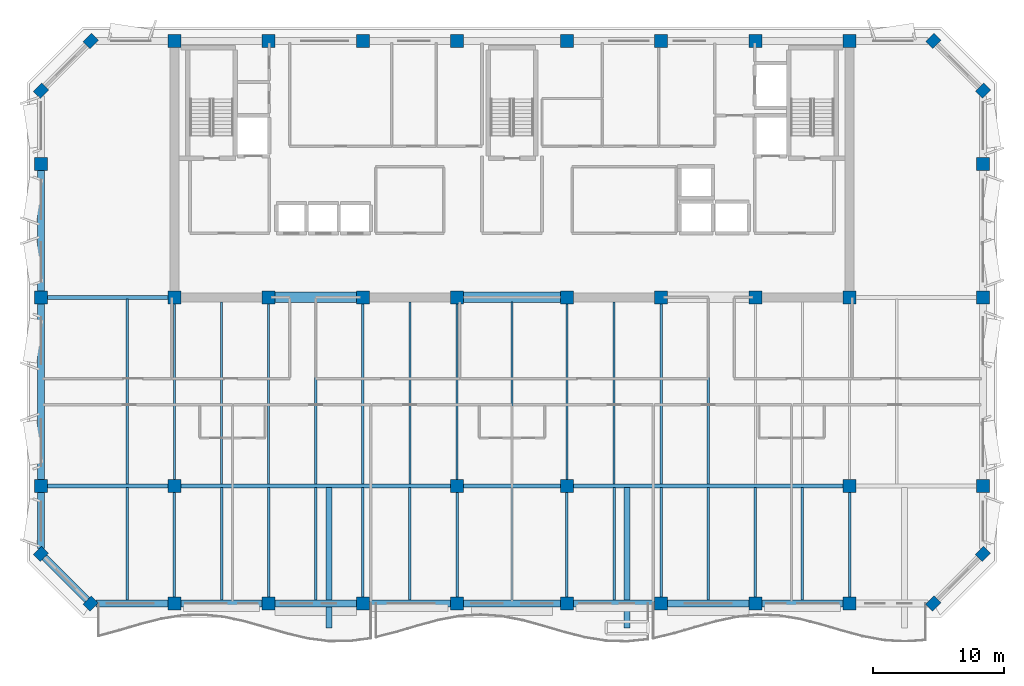
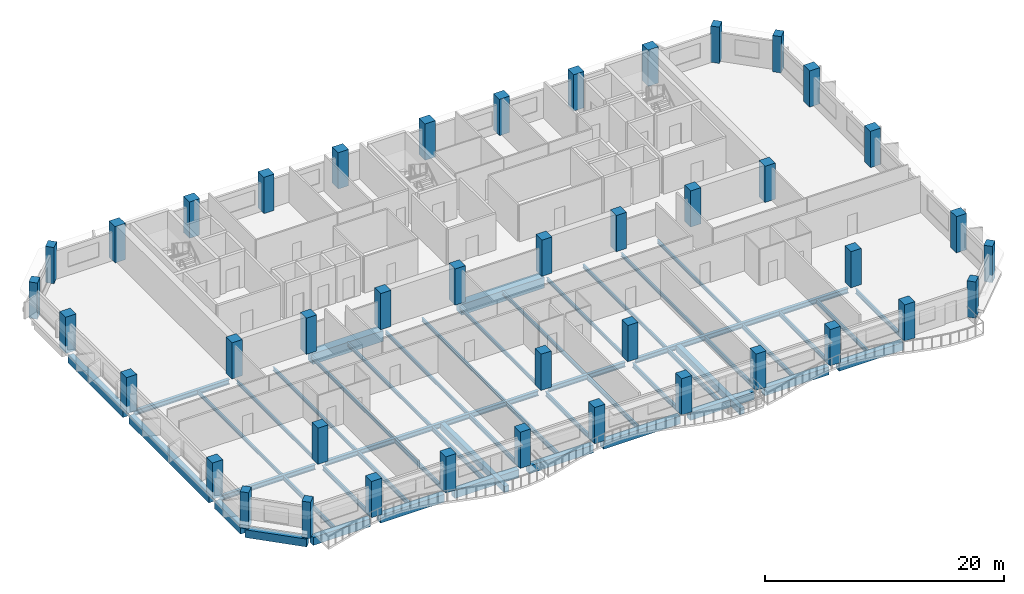
# One storey, part 1 of 10: 50 beams, 42 columns.
"""IFC4 building model written with IfcOpenShell, lengths in metres."""

from ifc_helpers import new_model, si_unit, direction, frame, origin, origin_2d, place, context, subcontext, project, spatial, rectangle, i_section, extrude, material, material_profile, profile_set, type_object, element, save


model = new_model("IFC4")

# Units and contexts
model_context = context("Model", 3, precision=1e-05, world=origin(), true_north=direction((0.0, 1.0)))
body_context = subcontext(model_context, "Body", "Model", "MODEL_VIEW")
ifc_project = project(units=[si_unit("LENGTHUNIT", "METRE"), si_unit("AREAUNIT", "SQUARE_METRE"), si_unit("VOLUMEUNIT", "CUBIC_METRE"), si_unit("PLANEANGLEUNIT", "RADIAN"), si_unit("MASSUNIT", "GRAM", prefix="KILO")], contexts=[model_context])

# Site, building, storey
site_placement = place(None, origin())
site = spatial("IfcSite", under=ifc_project, at=site_placement, CompositionType="ELEMENT")
building_placement = place(site_placement, origin())
building = spatial("IfcBuilding", under=site, at=building_placement, Name="Kaelvorn Grand Hotel", CompositionType="ELEMENT")
storey_placement = place(building_placement, frame((0.0, 0.0, 264.699951171875)))
storey = spatial("IfcBuildingStorey", under=building, at=storey_placement, Name="L65", CompositionType="ELEMENT", Elevation=264.699951171875)

# Columns
ifc_material_1 = material(Name="Concrete C60/75", Category="concrete")
ifc_material_profile_1 = material_profile(ifc_material_1, rectangle(XDim=0.89990234375, YDim=0.75, at=origin_2d()), Name="RC PILASTER 900x750")
ifc_profile_set_1 = profile_set([ifc_material_profile_1], Name="Concrete C60/75")
column_type_1 = type_object("IfcColumnType", Name="COL-PIL-900x750-C60", PredefinedType="PILASTER", material=ifc_profile_set_1)
for number, where, z_axis, x_axis, name in (
    (1, (9.800048828125, 6.0, 0.0), (0.0, 0.0, 1.0), (0.707106781187, 0.707106781187, 0.0), "L65 Structural Column CH-01"),
    (2, (74.199951171875, 6.0, 0.0), (0.0, 0.0, 1.0), (0.707106781187, 0.707106781187, 0.0), "L65 Structural Column CH-02"),
    (3, (78.0, 9.800048828125, 0.0), (0.0, 0.0, 1.0), (0.707106781187, 0.707106781187, 0.0), "L65 Structural Column CH-03"),
    (4, (78.0, 45.199951171875, 0.0), (0.0, 0.0, 1.0), (0.707106781187, 0.707106781187, 0.0), "L65 Structural Column CH-04"),
    (5, (74.199951171875, 49.0, 0.0), (0.0, 0.0, 1.0), (0.707106781187, 0.707106781187, 0.0), "L65 Structural Column CH-05"),
    (6, (9.800048828125, 49.0, 0.0), (0.0, 0.0, 1.0), (0.707106781187, 0.707106781187, 0.0), "L65 Structural Column CH-06"),
    (7, (6.0, 45.199951171875, 0.0), (0.0, 0.0, 1.0), (0.707106781187, 0.707106781187, 0.0), "L65 Structural Column CH-07"),
    (8, (6.0, 9.800048828125, 0.0), (0.0, 0.0, 1.0), (0.707106781187, 0.707106781187, 0.0), "L65 Structural Column CH-08"),
):
    element("IfcColumn", number, at=place(storey_placement, frame(where, z_axis=z_axis, x_axis=x_axis)), inside=storey, type_object=column_type_1, Name=name, PredefinedType="PILASTER", context=body_context, shape_type="SweptSolid", body=[
        extrude(rectangle(XDim=0.89990234375, YDim=0.75, at=origin_2d()), origin(), (0.0, 0.0, 1.0), 3.7099609375),
    ])
ifc_material_2 = material(Name="Concrete C50/60", Category="concrete")
ifc_material_profile_2 = material_profile(ifc_material_2, rectangle(XDim=1.0, YDim=1.0, at=origin_2d()), Name="RC COL 1000x1000")
ifc_profile_set_2 = profile_set([ifc_material_profile_2], Name="Concrete C50/60")
column_type_2 = type_object("IfcColumnType", Name="COL-RC-1000-C50", PredefinedType="COLUMN", material=ifc_profile_set_2)
for number, where, z_axis, x_axis, name in (
    (9, (16.199951171875, 6.0, 0.0), (0.0, 0.0, 1.0), (1.0, 0.0, 0.0), "L65 Structural Column S-01"),
    (10, (23.39990234375, 6.0, 0.0), (0.0, 0.0, 1.0), (1.0, 0.0, 0.0), "L65 Structural Column S-02"),
    (11, (30.60009765625, 6.0, 0.0), (0.0, 0.0, 1.0), (1.0, 0.0, 0.0), "L65 Structural Column S-03"),
    (12, (37.800048828125, 6.0, 0.0), (0.0, 0.0, 1.0), (1.0, 0.0, 0.0), "L65 Structural Column S-04"),
    (13, (46.199951171875, 6.0, 0.0), (0.0, 0.0, 1.0), (1.0, 0.0, 0.0), "L65 Structural Column S-05"),
    (14, (53.39990234375, 6.0, 0.0), (0.0, 0.0, 1.0), (1.0, 0.0, 0.0), "L65 Structural Column S-06"),
    (15, (60.60009765625, 6.0, 0.0), (0.0, 0.0, 1.0), (1.0, 0.0, 0.0), "L65 Structural Column S-07"),
    (16, (67.800048828125, 6.0, 0.0), (0.0, 0.0, 1.0), (1.0, 0.0, 0.0), "L65 Structural Column S-08"),
    (17, (6.0, 15.0, 0.0), (0.0, 0.0, 1.0), (1.0, 0.0, 0.0), "L65 Structural Column W-01"),
    (18, (78.0, 15.0, 0.0), (0.0, 0.0, 1.0), (1.0, 0.0, 0.0), "L65 Structural Column E-01"),
    (19, (6.0, 29.39990234375, 0.0), (0.0, 0.0, 1.0), (1.0, 0.0, 0.0), "L65 Structural Column W-02"),
    (20, (78.0, 29.39990234375, 0.0), (0.0, 0.0, 1.0), (1.0, 0.0, 0.0), "L65 Structural Column E-02"),
    (21, (6.0, 39.60009765625, 0.0), (0.0, 0.0, 1.0), (1.0, 0.0, 0.0), "L65 Structural Column W-03"),
    (22, (78.0, 39.60009765625, 0.0), (0.0, 0.0, 1.0), (1.0, 0.0, 0.0), "L65 Structural Column E-03"),
    (23, (16.199951171875, 15.0, 0.0), (0.0, 0.0, 1.0), (1.0, 0.0, 0.0), "L65 Structural Column M-01"),
    (24, (37.800048828125, 15.0, 0.0), (0.0, 0.0, 1.0), (1.0, 0.0, 0.0), "L65 Structural Column M-02"),
    (25, (46.199951171875, 15.0, 0.0), (0.0, 0.0, 1.0), (1.0, 0.0, 0.0), "L65 Structural Column M-03"),
    (26, (67.800048828125, 15.0, 0.0), (0.0, 0.0, 1.0), (1.0, 0.0, 0.0), "L65 Structural Column M-04"),
    (27, (16.199951171875, 29.39990234375, 0.0), (0.0, 0.0, 1.0), (1.0, 0.0, 0.0), "L65 Structural Column CR1-01"),
    (28, (16.199951171875, 49.0, 0.0), (0.0, 0.0, 1.0), (1.0, 0.0, 0.0), "L65 Structural Column CR2-01"),
    (29, (23.39990234375, 29.39990234375, 0.0), (0.0, 0.0, 1.0), (1.0, 0.0, 0.0), "L65 Structural Column CR1-02"),
    (30, (23.39990234375, 49.0, 0.0), (0.0, 0.0, 1.0), (1.0, 0.0, 0.0), "L65 Structural Column CR2-02"),
    (31, (30.60009765625, 29.39990234375, 0.0), (0.0, 0.0, 1.0), (1.0, 0.0, 0.0), "L65 Structural Column CR1-03"),
    (32, (30.60009765625, 49.0, 0.0), (0.0, 0.0, 1.0), (1.0, 0.0, 0.0), "L65 Structural Column CR2-03"),
    (33, (37.800048828125, 29.39990234375, 0.0), (0.0, 0.0, 1.0), (1.0, 0.0, 0.0), "L65 Structural Column CR1-04"),
    (34, (37.800048828125, 49.0, 0.0), (0.0, 0.0, 1.0), (1.0, 0.0, 0.0), "L65 Structural Column CR2-04"),
    (35, (46.199951171875, 29.39990234375, 0.0), (0.0, 0.0, 1.0), (1.0, 0.0, 0.0), "L65 Structural Column CR1-05"),
    (36, (46.199951171875, 49.0, 0.0), (0.0, 0.0, 1.0), (1.0, 0.0, 0.0), "L65 Structural Column CR2-05"),
    (37, (53.39990234375, 29.39990234375, 0.0), (0.0, 0.0, 1.0), (1.0, 0.0, 0.0), "L65 Structural Column CR1-06"),
    (38, (53.39990234375, 49.0, 0.0), (0.0, 0.0, 1.0), (1.0, 0.0, 0.0), "L65 Structural Column CR2-06"),
    (39, (60.60009765625, 29.39990234375, 0.0), (0.0, 0.0, 1.0), (1.0, 0.0, 0.0), "L65 Structural Column CR1-07"),
    (40, (60.60009765625, 49.0, 0.0), (0.0, 0.0, 1.0), (1.0, 0.0, 0.0), "L65 Structural Column CR2-07"),
    (41, (67.800048828125, 29.39990234375, 0.0), (0.0, 0.0, 1.0), (1.0, 0.0, 0.0), "L65 Structural Column CR1-08"),
    (42, (67.800048828125, 49.0, 0.0), (0.0, 0.0, 1.0), (1.0, 0.0, 0.0), "L65 Structural Column CR2-08"),
):
    element("IfcColumn", number, at=place(storey_placement, frame(where, z_axis=z_axis, x_axis=x_axis)), inside=storey, type_object=column_type_2, Name=name, PredefinedType="COLUMN", context=body_context, shape_type="SweptSolid", body=[
        extrude(rectangle(XDim=1.0, YDim=1.0, at=origin_2d()), origin(), (0.0, 0.0, 1.0), 3.7099609375),
    ])

# Beams
ifc_material_3 = material(Name="Steel S355", Category="steel")
ifc_material_profile_3 = material_profile(ifc_material_3, i_section(OverallWidth=0.300048828125, OverallDepth=0.5, WebThickness=0.014404296875, FlangeThickness=0.028076171875, FilletRadius=0.027099609375, at=origin_2d()), Name="HEB 500")
ifc_profile_set_3 = profile_set([ifc_material_profile_3], Name="Steel S355")
beam_type_1 = type_object("IfcBeamType", Name="BM-G-HEB500-S355", PredefinedType="BEAM", material=ifc_profile_set_3)
beam_1_placement = place(storey_placement, frame((6.485107421875, 15.0, -0.489990234375), z_axis=(1.0, 0.0, 0.0), x_axis=(0.0, 1.0, 0.0)))
element("IfcBeam", 43, at=beam_1_placement, inside=storey, type_object=beam_type_1, Name="L65 Primary Spine Steel Girder G-15 01", PredefinedType="BEAM", context=body_context, shape_type="SweptSolid", body=[
    extrude(i_section(OverallWidth=0.300048828125, OverallDepth=0.5, WebThickness=0.014404296875, FlangeThickness=0.028076171875, FilletRadius=0.027099609375, at=origin_2d()), origin(), (0.0, 0.0, 1.0), 9.22998046875),
])
beam_2_placement = place(storey_placement, frame((16.68505859375, 15.0, -0.489990234375), z_axis=(1.0, 0.0, 0.0), x_axis=(0.0, 1.0, 0.0)))
element("IfcBeam", 44, at=beam_2_placement, inside=storey, type_object=beam_type_1, Name="L65 Primary Spine Steel Girder G-15 02", PredefinedType="BEAM", context=body_context, shape_type="SweptSolid", body=[
    extrude(i_section(OverallWidth=0.300048828125, OverallDepth=0.5, WebThickness=0.014404296875, FlangeThickness=0.028076171875, FilletRadius=0.027099609375, at=origin_2d()), origin(), (0.0, 0.0, 1.0), 20.6298828125),
])
beam_3_placement = place(storey_placement, frame((38.284912109375, 15.0, -0.489990234375), z_axis=(1.0, 0.0, 0.0), x_axis=(0.0, 1.0, 0.0)))
element("IfcBeam", 45, at=beam_3_placement, inside=storey, type_object=beam_type_1, Name="L65 Primary Spine Steel Girder G-15 03", PredefinedType="BEAM", context=body_context, shape_type="SweptSolid", body=[
    extrude(i_section(OverallWidth=0.300048828125, OverallDepth=0.5, WebThickness=0.014404296875, FlangeThickness=0.028076171875, FilletRadius=0.027099609375, at=origin_2d()), origin(), (0.0, 0.0, 1.0), 7.43017578125),
])
beam_4_placement = place(storey_placement, frame((46.68505859375, 15.0, -0.489990234375), z_axis=(1.0, 0.0, 0.0), x_axis=(0.0, 1.0, 0.0)))
element("IfcBeam", 46, at=beam_4_placement, inside=storey, type_object=beam_type_1, Name="L65 Primary Spine Steel Girder G-15 04", PredefinedType="BEAM", context=body_context, shape_type="SweptSolid", body=[
    extrude(i_section(OverallWidth=0.300048828125, OverallDepth=0.5, WebThickness=0.014404296875, FlangeThickness=0.028076171875, FilletRadius=0.027099609375, at=origin_2d()), origin(), (0.0, 0.0, 1.0), 20.6298828125),
])
beam_5_placement = place(storey_placement, frame((6.485107421875, 29.39990234375, -0.489990234375), z_axis=(1.0, 0.0, 0.0), x_axis=(0.0, 1.0, 0.0)))
element("IfcBeam", 47, at=beam_5_placement, inside=storey, type_object=beam_type_1, Name="L65 West Core Wing Steel Girder G-29W 01", PredefinedType="BEAM", context=body_context, shape_type="SweptSolid", body=[
    extrude(i_section(OverallWidth=0.300048828125, OverallDepth=0.5, WebThickness=0.014404296875, FlangeThickness=0.028076171875, FilletRadius=0.027099609375, at=origin_2d()), origin(), (0.0, 0.0, 1.0), 9.22998046875),
])
ifc_material_profile_4 = material_profile(ifc_material_3, i_section(OverallWidth=0.169921875, OverallDepth=0.360107421875, WebThickness=0.008056640625, FlangeThickness=0.0126953125, FilletRadius=0.01806640625, at=origin_2d()), Name="IPE 360")
ifc_profile_set_4 = profile_set([ifc_material_profile_4], Name="Steel S355")
beam_type_2 = type_object("IfcBeamType", Name="BM-J-IPE360-S355", PredefinedType="JOIST", material=ifc_profile_set_4)
beam_6_placement = place(storey_placement, frame((12.60009765625, 15.135009765625, -0.419921875), z_axis=(0.0, 1.0, 0.0), x_axis=(-1.0, 0.0, 0.0)))
element("IfcBeam", 48, at=beam_6_placement, inside=storey, type_object=beam_type_2, Name="L65 Composite Floor Joist JM-04", PredefinedType="JOIST", context=body_context, shape_type="SweptSolid", body=[
    extrude(i_section(OverallWidth=0.169921875, OverallDepth=0.360107421875, WebThickness=0.008056640625, FlangeThickness=0.0126953125, FilletRadius=0.01806640625, at=origin_2d()), origin(), (0.0, 0.0, 1.0), 14.1298828125),
])
beam_7_placement = place(storey_placement, frame((16.199951171875, 15.485107421875, -0.419921875), z_axis=(0.0, 1.0, 0.0), x_axis=(-1.0, 0.0, 0.0)))
element("IfcBeam", 49, at=beam_7_placement, inside=storey, type_object=beam_type_2, Name="L65 Composite Floor Joist JM-05", PredefinedType="JOIST", context=body_context, shape_type="SweptSolid", body=[
    extrude(i_section(OverallWidth=0.169921875, OverallDepth=0.360107421875, WebThickness=0.008056640625, FlangeThickness=0.0126953125, FilletRadius=0.01806640625, at=origin_2d()), origin(), (0.0, 0.0, 1.0), 13.429931640625),
])
beam_8_placement = place(storey_placement, frame((19.800048828125, 15.135009765625, -0.419921875), z_axis=(0.0, 1.0, 0.0), x_axis=(-1.0, 0.0, 0.0)))
element("IfcBeam", 50, at=beam_8_placement, inside=storey, type_object=beam_type_2, Name="L65 Composite Floor Joist JM-06", PredefinedType="JOIST", context=body_context, shape_type="SweptSolid", body=[
    extrude(i_section(OverallWidth=0.169921875, OverallDepth=0.360107421875, WebThickness=0.008056640625, FlangeThickness=0.0126953125, FilletRadius=0.01806640625, at=origin_2d()), origin(), (0.0, 0.0, 1.0), 13.925048828125),
])
beam_9_placement = place(storey_placement, frame((23.39990234375, 15.135009765625, -0.419921875), z_axis=(0.0, 1.0, 0.0), x_axis=(-1.0, 0.0, 0.0)))
element("IfcBeam", 51, at=beam_9_placement, inside=storey, type_object=beam_type_2, Name="L65 Composite Floor Joist JM-07", PredefinedType="JOIST", context=body_context, shape_type="SweptSolid", body=[
    extrude(i_section(OverallWidth=0.169921875, OverallDepth=0.360107421875, WebThickness=0.008056640625, FlangeThickness=0.0126953125, FilletRadius=0.01806640625, at=origin_2d()), origin(), (0.0, 0.0, 1.0), 13.780029296875),
])
beam_10_placement = place(storey_placement, frame((27.0, 15.135009765625, -0.419921875), z_axis=(0.0, 1.0, 0.0), x_axis=(-1.0, 0.0, 0.0)))
element("IfcBeam", 52, at=beam_10_placement, inside=storey, type_object=beam_type_2, Name="L65 Composite Floor Joist JM-08", PredefinedType="JOIST", context=body_context, shape_type="SweptSolid", body=[
    extrude(i_section(OverallWidth=0.169921875, OverallDepth=0.360107421875, WebThickness=0.008056640625, FlangeThickness=0.0126953125, FilletRadius=0.01806640625, at=origin_2d()), origin(), (0.0, 0.0, 1.0), 13.925048828125),
])
beam_11_placement = place(storey_placement, frame((30.60009765625, 15.135009765625, -0.419921875), z_axis=(0.0, 1.0, 0.0), x_axis=(-1.0, 0.0, 0.0)))
element("IfcBeam", 53, at=beam_11_placement, inside=storey, type_object=beam_type_2, Name="L65 Composite Floor Joist JM-09", PredefinedType="JOIST", context=body_context, shape_type="SweptSolid", body=[
    extrude(i_section(OverallWidth=0.169921875, OverallDepth=0.360107421875, WebThickness=0.008056640625, FlangeThickness=0.0126953125, FilletRadius=0.01806640625, at=origin_2d()), origin(), (0.0, 0.0, 1.0), 13.780029296875),
])
beam_12_placement = place(storey_placement, frame((34.199951171875, 15.135009765625, -0.419921875), z_axis=(0.0, 1.0, 0.0), x_axis=(-1.0, 0.0, 0.0)))
element("IfcBeam", 54, at=beam_12_placement, inside=storey, type_object=beam_type_2, Name="L65 Composite Floor Joist JM-10", PredefinedType="JOIST", context=body_context, shape_type="SweptSolid", body=[
    extrude(i_section(OverallWidth=0.169921875, OverallDepth=0.360107421875, WebThickness=0.008056640625, FlangeThickness=0.0126953125, FilletRadius=0.01806640625, at=origin_2d()), origin(), (0.0, 0.0, 1.0), 13.925048828125),
])
beam_13_placement = place(storey_placement, frame((37.800048828125, 15.485107421875, -0.419921875), z_axis=(0.0, 1.0, 0.0), x_axis=(-1.0, 0.0, 0.0)))
element("IfcBeam", 55, at=beam_13_placement, inside=storey, type_object=beam_type_2, Name="L65 Composite Floor Joist JM-11", PredefinedType="JOIST", context=body_context, shape_type="SweptSolid", body=[
    extrude(i_section(OverallWidth=0.169921875, OverallDepth=0.360107421875, WebThickness=0.008056640625, FlangeThickness=0.0126953125, FilletRadius=0.01806640625, at=origin_2d()), origin(), (0.0, 0.0, 1.0), 13.429931640625),
])
beam_14_placement = place(storey_placement, frame((42.0, 15.135009765625, -0.419921875), z_axis=(0.0, 1.0, 0.0), x_axis=(-1.0, 0.0, 0.0)))
element("IfcBeam", 56, at=beam_14_placement, inside=storey, type_object=beam_type_2, Name="L65 Composite Floor Joist JM-12", PredefinedType="JOIST", context=body_context, shape_type="SweptSolid", body=[
    extrude(i_section(OverallWidth=0.169921875, OverallDepth=0.360107421875, WebThickness=0.008056640625, FlangeThickness=0.0126953125, FilletRadius=0.01806640625, at=origin_2d()), origin(), (0.0, 0.0, 1.0), 13.925048828125),
])
beam_15_placement = place(storey_placement, frame((46.199951171875, 15.485107421875, -0.419921875), z_axis=(0.0, 1.0, 0.0), x_axis=(-1.0, 0.0, 0.0)))
element("IfcBeam", 57, at=beam_15_placement, inside=storey, type_object=beam_type_2, Name="L65 Composite Floor Joist JM-13", PredefinedType="JOIST", context=body_context, shape_type="SweptSolid", body=[
    extrude(i_section(OverallWidth=0.169921875, OverallDepth=0.360107421875, WebThickness=0.008056640625, FlangeThickness=0.0126953125, FilletRadius=0.01806640625, at=origin_2d()), origin(), (0.0, 0.0, 1.0), 13.429931640625),
])
beam_16_placement = place(storey_placement, frame((49.800048828125, 15.135009765625, -0.419921875), z_axis=(0.0, 1.0, 0.0), x_axis=(-1.0, 0.0, 0.0)))
element("IfcBeam", 58, at=beam_16_placement, inside=storey, type_object=beam_type_2, Name="L65 Composite Floor Joist JM-14", PredefinedType="JOIST", context=body_context, shape_type="SweptSolid", body=[
    extrude(i_section(OverallWidth=0.169921875, OverallDepth=0.360107421875, WebThickness=0.008056640625, FlangeThickness=0.0126953125, FilletRadius=0.01806640625, at=origin_2d()), origin(), (0.0, 0.0, 1.0), 13.925048828125),
])
beam_17_placement = place(storey_placement, frame((53.39990234375, 15.135009765625, -0.419921875), z_axis=(0.0, 1.0, 0.0), x_axis=(-1.0, 0.0, 0.0)))
element("IfcBeam", 59, at=beam_17_placement, inside=storey, type_object=beam_type_2, Name="L65 Composite Floor Joist JM-15", PredefinedType="JOIST", context=body_context, shape_type="SweptSolid", body=[
    extrude(i_section(OverallWidth=0.169921875, OverallDepth=0.360107421875, WebThickness=0.008056640625, FlangeThickness=0.0126953125, FilletRadius=0.01806640625, at=origin_2d()), origin(), (0.0, 0.0, 1.0), 13.780029296875),
])
beam_18_placement = place(storey_placement, frame((57.0, 15.135009765625, -0.419921875), z_axis=(0.0, 1.0, 0.0), x_axis=(-1.0, 0.0, 0.0)))
element("IfcBeam", 60, at=beam_18_placement, inside=storey, type_object=beam_type_2, Name="L65 Composite Floor Joist JM-16", PredefinedType="JOIST", context=body_context, shape_type="SweptSolid", body=[
    extrude(i_section(OverallWidth=0.169921875, OverallDepth=0.360107421875, WebThickness=0.008056640625, FlangeThickness=0.0126953125, FilletRadius=0.01806640625, at=origin_2d()), origin(), (0.0, 0.0, 1.0), 13.925048828125),
])
ifc_material_profile_5 = material_profile(ifc_material_3, i_section(OverallWidth=0.18994140625, OverallDepth=0.449951171875, WebThickness=0.009521484375, FlangeThickness=0.0146484375, FilletRadius=0.02099609375, at=origin_2d()), Name="IPE 450")
ifc_profile_set_5 = profile_set([ifc_material_profile_5], Name="Steel S355")
beam_type_3 = type_object("IfcBeamType", Name="BM-J-IPE450-S355", PredefinedType="JOIST", material=ifc_profile_set_5)
beam_19_placement = place(storey_placement, frame((12.60009765625, 6.260009765625, -0.46484375), z_axis=(0.0, 1.0, 0.0), x_axis=(-1.0, 0.0, 0.0)))
element("IfcBeam", 61, at=beam_19_placement, inside=storey, type_object=beam_type_3, Name="L65 Composite Floor Joist JS-04", PredefinedType="JOIST", context=body_context, shape_type="SweptSolid", body=[
    extrude(i_section(OverallWidth=0.18994140625, OverallDepth=0.449951171875, WebThickness=0.009521484375, FlangeThickness=0.0146484375, FilletRadius=0.02099609375, at=origin_2d()), origin(), (0.0, 0.0, 1.0), 8.60498046875),
])
beam_20_placement = place(storey_placement, frame((16.199951171875, 6.485107421875, -0.46484375), z_axis=(0.0, 1.0, 0.0), x_axis=(-1.0, 0.0, 0.0)))
element("IfcBeam", 62, at=beam_20_placement, inside=storey, type_object=beam_type_3, Name="L65 Composite Floor Joist JS-05", PredefinedType="JOIST", context=body_context, shape_type="SweptSolid", body=[
    extrude(i_section(OverallWidth=0.18994140625, OverallDepth=0.449951171875, WebThickness=0.009521484375, FlangeThickness=0.0146484375, FilletRadius=0.02099609375, at=origin_2d()), origin(), (0.0, 0.0, 1.0), 8.02978515625),
])
beam_21_placement = place(storey_placement, frame((19.800048828125, 6.260009765625, -0.46484375), z_axis=(0.0, 1.0, 0.0), x_axis=(-1.0, 0.0, 0.0)))
element("IfcBeam", 63, at=beam_21_placement, inside=storey, type_object=beam_type_3, Name="L65 Composite Floor Joist JS-06", PredefinedType="JOIST", context=body_context, shape_type="SweptSolid", body=[
    extrude(i_section(OverallWidth=0.18994140625, OverallDepth=0.449951171875, WebThickness=0.009521484375, FlangeThickness=0.0146484375, FilletRadius=0.02099609375, at=origin_2d()), origin(), (0.0, 0.0, 1.0), 8.60498046875),
])
beam_22_placement = place(storey_placement, frame((23.39990234375, 6.485107421875, -0.46484375), z_axis=(0.0, 1.0, 0.0), x_axis=(-1.0, 0.0, 0.0)))
element("IfcBeam", 64, at=beam_22_placement, inside=storey, type_object=beam_type_3, Name="L65 Composite Floor Joist JS-07", PredefinedType="JOIST", context=body_context, shape_type="SweptSolid", body=[
    extrude(i_section(OverallWidth=0.18994140625, OverallDepth=0.449951171875, WebThickness=0.009521484375, FlangeThickness=0.0146484375, FilletRadius=0.02099609375, at=origin_2d()), origin(), (0.0, 0.0, 1.0), 8.3798828125),
])
beam_23_placement = place(storey_placement, frame((27.0, 6.260009765625, -0.46484375), z_axis=(0.0, 1.0, 0.0), x_axis=(-1.0, 0.0, 0.0)))
element("IfcBeam", 65, at=beam_23_placement, inside=storey, type_object=beam_type_3, Name="L65 Composite Floor Joist JS-08", PredefinedType="JOIST", context=body_context, shape_type="SweptSolid", body=[
    extrude(i_section(OverallWidth=0.18994140625, OverallDepth=0.449951171875, WebThickness=0.009521484375, FlangeThickness=0.0146484375, FilletRadius=0.02099609375, at=origin_2d()), origin(), (0.0, 0.0, 1.0), 8.60498046875),
])
beam_24_placement = place(storey_placement, frame((30.60009765625, 6.485107421875, -0.46484375), z_axis=(0.0, 1.0, 0.0), x_axis=(-1.0, 0.0, 0.0)))
element("IfcBeam", 66, at=beam_24_placement, inside=storey, type_object=beam_type_3, Name="L65 Composite Floor Joist JS-09", PredefinedType="JOIST", context=body_context, shape_type="SweptSolid", body=[
    extrude(i_section(OverallWidth=0.18994140625, OverallDepth=0.449951171875, WebThickness=0.009521484375, FlangeThickness=0.0146484375, FilletRadius=0.02099609375, at=origin_2d()), origin(), (0.0, 0.0, 1.0), 8.3798828125),
])
beam_25_placement = place(storey_placement, frame((34.199951171875, 6.260009765625, -0.46484375), z_axis=(0.0, 1.0, 0.0), x_axis=(-1.0, 0.0, 0.0)))
element("IfcBeam", 67, at=beam_25_placement, inside=storey, type_object=beam_type_3, Name="L65 Composite Floor Joist JS-10", PredefinedType="JOIST", context=body_context, shape_type="SweptSolid", body=[
    extrude(i_section(OverallWidth=0.18994140625, OverallDepth=0.449951171875, WebThickness=0.009521484375, FlangeThickness=0.0146484375, FilletRadius=0.02099609375, at=origin_2d()), origin(), (0.0, 0.0, 1.0), 8.60498046875),
])
beam_26_placement = place(storey_placement, frame((37.800048828125, 6.485107421875, -0.46484375), z_axis=(0.0, 1.0, 0.0), x_axis=(-1.0, 0.0, 0.0)))
element("IfcBeam", 68, at=beam_26_placement, inside=storey, type_object=beam_type_3, Name="L65 Composite Floor Joist JS-11", PredefinedType="JOIST", context=body_context, shape_type="SweptSolid", body=[
    extrude(i_section(OverallWidth=0.18994140625, OverallDepth=0.449951171875, WebThickness=0.009521484375, FlangeThickness=0.0146484375, FilletRadius=0.02099609375, at=origin_2d()), origin(), (0.0, 0.0, 1.0), 8.02978515625),
])
beam_27_placement = place(storey_placement, frame((42.0, 6.260009765625, -0.46484375), z_axis=(0.0, 1.0, 0.0), x_axis=(-1.0, 0.0, 0.0)))
element("IfcBeam", 69, at=beam_27_placement, inside=storey, type_object=beam_type_3, Name="L65 Composite Floor Joist JS-12", PredefinedType="JOIST", context=body_context, shape_type="SweptSolid", body=[
    extrude(i_section(OverallWidth=0.18994140625, OverallDepth=0.449951171875, WebThickness=0.009521484375, FlangeThickness=0.0146484375, FilletRadius=0.02099609375, at=origin_2d()), origin(), (0.0, 0.0, 1.0), 8.60498046875),
])
beam_28_placement = place(storey_placement, frame((46.199951171875, 6.485107421875, -0.46484375), z_axis=(0.0, 1.0, 0.0), x_axis=(-1.0, 0.0, 0.0)))
element("IfcBeam", 70, at=beam_28_placement, inside=storey, type_object=beam_type_3, Name="L65 Composite Floor Joist JS-13", PredefinedType="JOIST", context=body_context, shape_type="SweptSolid", body=[
    extrude(i_section(OverallWidth=0.18994140625, OverallDepth=0.449951171875, WebThickness=0.009521484375, FlangeThickness=0.0146484375, FilletRadius=0.02099609375, at=origin_2d()), origin(), (0.0, 0.0, 1.0), 8.02978515625),
])
beam_29_placement = place(storey_placement, frame((49.800048828125, 6.260009765625, -0.46484375), z_axis=(0.0, 1.0, 0.0), x_axis=(-1.0, 0.0, 0.0)))
element("IfcBeam", 71, at=beam_29_placement, inside=storey, type_object=beam_type_3, Name="L65 Composite Floor Joist JS-14", PredefinedType="JOIST", context=body_context, shape_type="SweptSolid", body=[
    extrude(i_section(OverallWidth=0.18994140625, OverallDepth=0.449951171875, WebThickness=0.009521484375, FlangeThickness=0.0146484375, FilletRadius=0.02099609375, at=origin_2d()), origin(), (0.0, 0.0, 1.0), 8.60498046875),
])
beam_30_placement = place(storey_placement, frame((53.39990234375, 6.485107421875, -0.46484375), z_axis=(0.0, 1.0, 0.0), x_axis=(-1.0, 0.0, 0.0)))
element("IfcBeam", 72, at=beam_30_placement, inside=storey, type_object=beam_type_3, Name="L65 Composite Floor Joist JS-15", PredefinedType="JOIST", context=body_context, shape_type="SweptSolid", body=[
    extrude(i_section(OverallWidth=0.18994140625, OverallDepth=0.449951171875, WebThickness=0.009521484375, FlangeThickness=0.0146484375, FilletRadius=0.02099609375, at=origin_2d()), origin(), (0.0, 0.0, 1.0), 8.3798828125),
])
beam_31_placement = place(storey_placement, frame((57.0, 6.260009765625, -0.46484375), z_axis=(0.0, 1.0, 0.0), x_axis=(-1.0, 0.0, 0.0)))
element("IfcBeam", 73, at=beam_31_placement, inside=storey, type_object=beam_type_3, Name="L65 Composite Floor Joist JS-16", PredefinedType="JOIST", context=body_context, shape_type="SweptSolid", body=[
    extrude(i_section(OverallWidth=0.18994140625, OverallDepth=0.449951171875, WebThickness=0.009521484375, FlangeThickness=0.0146484375, FilletRadius=0.02099609375, at=origin_2d()), origin(), (0.0, 0.0, 1.0), 8.60498046875),
])
beam_32_placement = place(storey_placement, frame((60.60009765625, 6.485107421875, -0.46484375), z_axis=(0.0, 1.0, 0.0), x_axis=(-1.0, 0.0, 0.0)))
element("IfcBeam", 74, at=beam_32_placement, inside=storey, type_object=beam_type_3, Name="L65 Composite Floor Joist JS-17", PredefinedType="JOIST", context=body_context, shape_type="SweptSolid", body=[
    extrude(i_section(OverallWidth=0.18994140625, OverallDepth=0.449951171875, WebThickness=0.009521484375, FlangeThickness=0.0146484375, FilletRadius=0.02099609375, at=origin_2d()), origin(), (0.0, 0.0, 1.0), 8.3798828125),
])
beam_33_placement = place(storey_placement, frame((64.199951171875, 6.260009765625, -0.46484375), z_axis=(0.0, 1.0, 0.0), x_axis=(-1.0, 0.0, 0.0)))
element("IfcBeam", 75, at=beam_33_placement, inside=storey, type_object=beam_type_3, Name="L65 Composite Floor Joist JS-18", PredefinedType="JOIST", context=body_context, shape_type="SweptSolid", body=[
    extrude(i_section(OverallWidth=0.18994140625, OverallDepth=0.449951171875, WebThickness=0.009521484375, FlangeThickness=0.0146484375, FilletRadius=0.02099609375, at=origin_2d()), origin(), (0.0, 0.0, 1.0), 8.60498046875),
])
beam_34_placement = place(storey_placement, frame((67.800048828125, 6.485107421875, -0.46484375), z_axis=(0.0, 1.0, 0.0), x_axis=(-1.0, 0.0, 0.0)))
element("IfcBeam", 76, at=beam_34_placement, inside=storey, type_object=beam_type_3, Name="L65 Composite Floor Joist JS-19", PredefinedType="JOIST", context=body_context, shape_type="SweptSolid", body=[
    extrude(i_section(OverallWidth=0.18994140625, OverallDepth=0.449951171875, WebThickness=0.009521484375, FlangeThickness=0.0146484375, FilletRadius=0.02099609375, at=origin_2d()), origin(), (0.0, 0.0, 1.0), 8.02978515625),
])
ifc_material_profile_6 = material_profile(ifc_material_1, rectangle(XDim=0.800048828125, YDim=1.10009765625, at=origin_2d()), Name="RC LINTEL 800x1100")
ifc_profile_set_6 = profile_set([ifc_material_profile_6], Name="Concrete C60/75")
beam_type_4 = type_object("IfcBeamType", Name="BM-LIN-800x1100-C60", PredefinedType="LINTEL", material=ifc_profile_set_6)
beam_35_placement = place(storey_placement, frame((23.580078125, 29.39990234375, -0.7900390625), z_axis=(1.0, 0.0, 0.0), x_axis=(0.0, 1.0, 0.0)))
element("IfcBeam", 77, at=beam_35_placement, inside=storey, type_object=beam_type_4, Name="L65 Rear-Core Coupling Lintel Beam CB1-01", PredefinedType="LINTEL", context=body_context, shape_type="SweptSolid", body=[
    extrude(rectangle(XDim=0.800048828125, YDim=1.10009765625, at=origin_2d()), origin(), (0.0, 0.0, 1.0), 6.83984375),
])
beam_36_placement = place(storey_placement, frame((37.97998046875, 29.39990234375, -0.7900390625), z_axis=(1.0, 0.0, 0.0), x_axis=(0.0, 1.0, 0.0)))
element("IfcBeam", 78, at=beam_36_placement, inside=storey, type_object=beam_type_4, Name="L65 Rear-Core Coupling Lintel Beam CB1-02", PredefinedType="LINTEL", context=body_context, shape_type="SweptSolid", body=[
    extrude(rectangle(XDim=0.800048828125, YDim=1.10009765625, at=origin_2d()), origin(), (0.0, 0.0, 1.0), 8.0400390625),
])
ifc_material_4 = material(Name="Concrete C40/50", Category="concrete")
ifc_material_profile_7 = material_profile(ifc_material_4, rectangle(XDim=0.449951171875, YDim=0.64990234375, at=origin_2d()), Name="RC RIB 450x650")
ifc_profile_set_7 = profile_set([ifc_material_profile_7], Name="Concrete C40/50")
beam_type_5 = type_object("IfcBeamType", Name="BM-RIB-450x650-C40", PredefinedType="SPANDREL", material=ifc_profile_set_7)
for number, where, z_axis, x_axis, name in (
    (79, (28.0, 4.14990234375, -0.544921875), (0.0, 1.0, 0.0), (-1.0, 0.0, 0.0), "L65 Cantilevered Balcony Back-Span Rib RB1-1"),
    (80, (50.800048828125, 4.14990234375, -0.544921875), (0.0, 1.0, 0.0), (-1.0, 0.0, 0.0), "L65 Cantilevered Balcony Back-Span Rib RB1-2"),
):
    element("IfcBeam", number, at=place(storey_placement, frame(where, z_axis=z_axis, x_axis=x_axis)), inside=storey, type_object=beam_type_5, Name=name, PredefinedType="SPANDREL", context=body_context, shape_type="SweptSolid", body=[
        extrude(rectangle(XDim=0.449951171875, YDim=0.64990234375, at=origin_2d()), origin(), (0.0, 0.0, 1.0), 10.715087890625),
    ])
ifc_material_profile_8 = material_profile(ifc_material_2, rectangle(XDim=0.550048828125, YDim=0.800048828125, at=origin_2d()), Name="RC SPANDREL 550x800")
ifc_profile_set_8 = profile_set([ifc_material_profile_8], Name="Concrete C50/60")
beam_type_6 = type_object("IfcBeamType", Name="BM-SP-550x800-C50", PredefinedType="SPANDREL", material=ifc_profile_set_8)
beam_37_placement = place(storey_placement, frame((10.205078125, 6.0, -0.639892578125), z_axis=(1.0, 0.0, 0.0), x_axis=(0.0, 1.0, 0.0)))
element("IfcBeam", 81, at=beam_37_placement, inside=storey, type_object=beam_type_6, Name="L65 South Perimeter Spandrel 01", PredefinedType="SPANDREL", context=body_context, shape_type="SweptSolid", body=[
    extrude(rectangle(XDim=0.550048828125, YDim=0.800048828125, at=origin_2d()), origin(), (0.0, 0.0, 1.0), 5.510009765625),
])
for number, where, z_axis, x_axis, name in (
    (82, (16.68505859375, 6.0, -0.639892578125), (1.0, 0.0, 0.0), (0.0, 1.0, 0.0), "L65 South Perimeter Spandrel 02"),
    (83, (23.885009765625, 6.0, -0.639892578125), (1.0, 0.0, 0.0), (0.0, 1.0, 0.0), "L65 South Perimeter Spandrel 03"),
    (84, (31.0849609375, 6.0, -0.639892578125), (1.0, 0.0, 0.0), (0.0, 1.0, 0.0), "L65 South Perimeter Spandrel 04"),
):
    element("IfcBeam", number, at=place(storey_placement, frame(where, z_axis=z_axis, x_axis=x_axis)), inside=storey, type_object=beam_type_6, Name=name, PredefinedType="SPANDREL", context=body_context, shape_type="SweptSolid", body=[
        extrude(rectangle(XDim=0.550048828125, YDim=0.800048828125, at=origin_2d()), origin(), (0.0, 0.0, 1.0), 6.22998046875),
    ])
beam_38_placement = place(storey_placement, frame((38.284912109375, 6.0, -0.639892578125), z_axis=(1.0, 0.0, 0.0), x_axis=(0.0, 1.0, 0.0)))
element("IfcBeam", 85, at=beam_38_placement, inside=storey, type_object=beam_type_6, Name="L65 South Perimeter Spandrel 05", PredefinedType="SPANDREL", context=body_context, shape_type="SweptSolid", body=[
    extrude(rectangle(XDim=0.550048828125, YDim=0.800048828125, at=origin_2d()), origin(), (0.0, 0.0, 1.0), 7.43017578125),
])
for number, where, z_axis, x_axis, name in (
    (86, (46.68505859375, 6.0, -0.639892578125), (1.0, 0.0, 0.0), (0.0, 1.0, 0.0), "L65 South Perimeter Spandrel 06"),
    (87, (53.885009765625, 6.0, -0.639892578125), (1.0, 0.0, 0.0), (0.0, 1.0, 0.0), "L65 South Perimeter Spandrel 07"),
    (88, (61.0849609375, 6.0, -0.639892578125), (1.0, 0.0, 0.0), (0.0, 1.0, 0.0), "L65 South Perimeter Spandrel 08"),
):
    element("IfcBeam", number, at=place(storey_placement, frame(where, z_axis=z_axis, x_axis=x_axis)), inside=storey, type_object=beam_type_6, Name=name, PredefinedType="SPANDREL", context=body_context, shape_type="SweptSolid", body=[
        extrude(rectangle(XDim=0.550048828125, YDim=0.800048828125, at=origin_2d()), origin(), (0.0, 0.0, 1.0), 6.22998046875),
    ])
beam_39_placement = place(storey_placement, frame((6.0, 10.205078125, -0.639892578125), z_axis=(0.0, 1.0, 0.0), x_axis=(-1.0, 0.0, 0.0)))
element("IfcBeam", 89, at=beam_39_placement, inside=storey, type_object=beam_type_6, Name="L65 West Perimeter Spandrel 01", PredefinedType="SPANDREL", context=body_context, shape_type="SweptSolid", body=[
    extrude(rectangle(XDim=0.550048828125, YDim=0.800048828125, at=origin_2d()), origin(), (0.0, 0.0, 1.0), 4.309814453125),
])
beam_40_placement = place(storey_placement, frame((6.0, 15.485107421875, -0.639892578125), z_axis=(0.0, 1.0, 0.0), x_axis=(-1.0, 0.0, 0.0)))
element("IfcBeam", 90, at=beam_40_placement, inside=storey, type_object=beam_type_6, Name="L65 West Perimeter Spandrel 02", PredefinedType="SPANDREL", context=body_context, shape_type="SweptSolid", body=[
    extrude(rectangle(XDim=0.550048828125, YDim=0.800048828125, at=origin_2d()), origin(), (0.0, 0.0, 1.0), 13.429931640625),
])
beam_41_placement = place(storey_placement, frame((6.0, 29.885009765625, -0.639892578125), z_axis=(0.0, 1.0, 0.0), x_axis=(-1.0, 0.0, 0.0)))
element("IfcBeam", 91, at=beam_41_placement, inside=storey, type_object=beam_type_6, Name="L65 West Perimeter Spandrel 03", PredefinedType="SPANDREL", context=body_context, shape_type="SweptSolid", body=[
    extrude(rectangle(XDim=0.550048828125, YDim=0.800048828125, at=origin_2d()), origin(), (0.0, 0.0, 1.0), 9.22998046875),
])
beam_42_placement = place(storey_placement, frame((6.0, 9.800048828125, -0.639892578125), z_axis=(0.707106781187, -0.707106781187, 0.0), x_axis=(0.707106781187, 0.707106781187, 0.0)))
element("IfcBeam", 92, at=beam_42_placement, inside=storey, type_object=beam_type_6, Name="L65 Chamfer Spandrel Beam 4", PredefinedType="SPANDREL", context=body_context, shape_type="SweptSolid", body=[
    extrude(rectangle(XDim=0.550048828125, YDim=0.800048828125, at=origin_2d()), origin(), (0.0, 0.0, 1.0), 5.3740234375),
])

save(model, "model.ifc")
